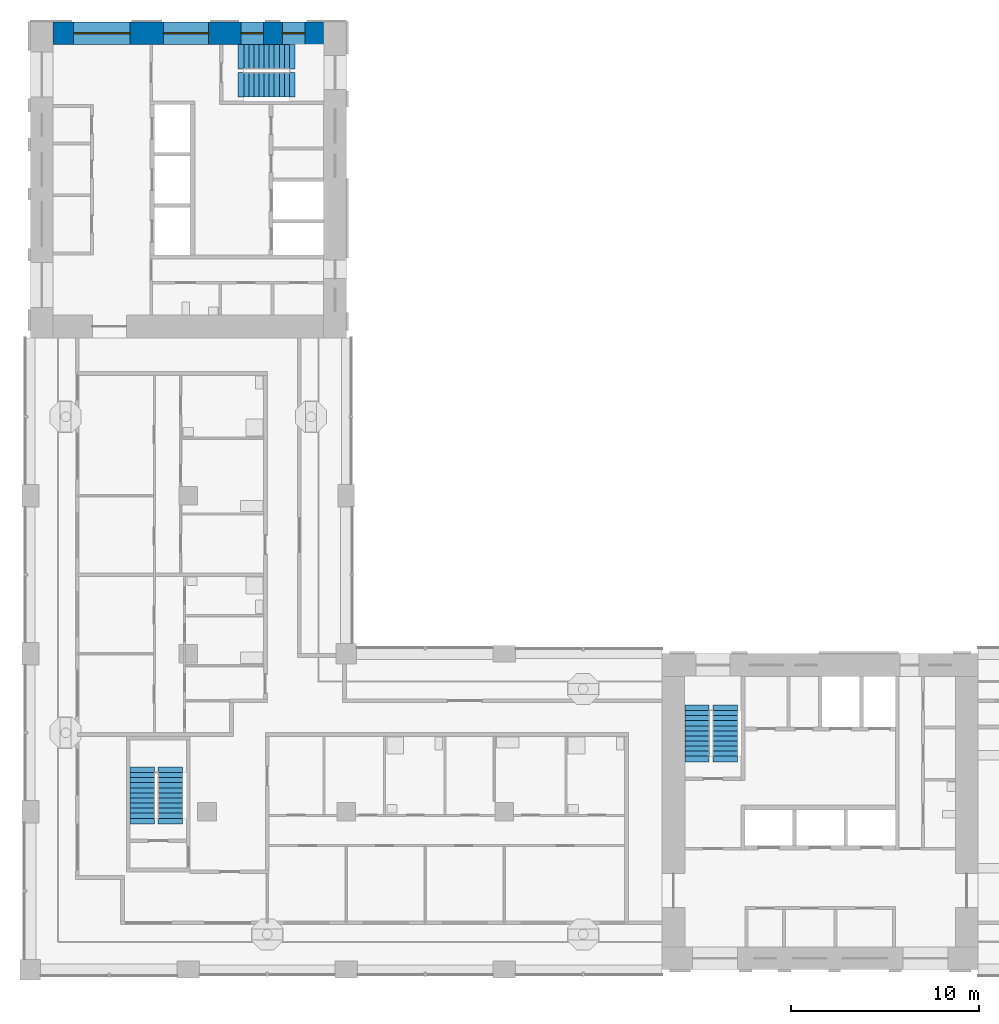
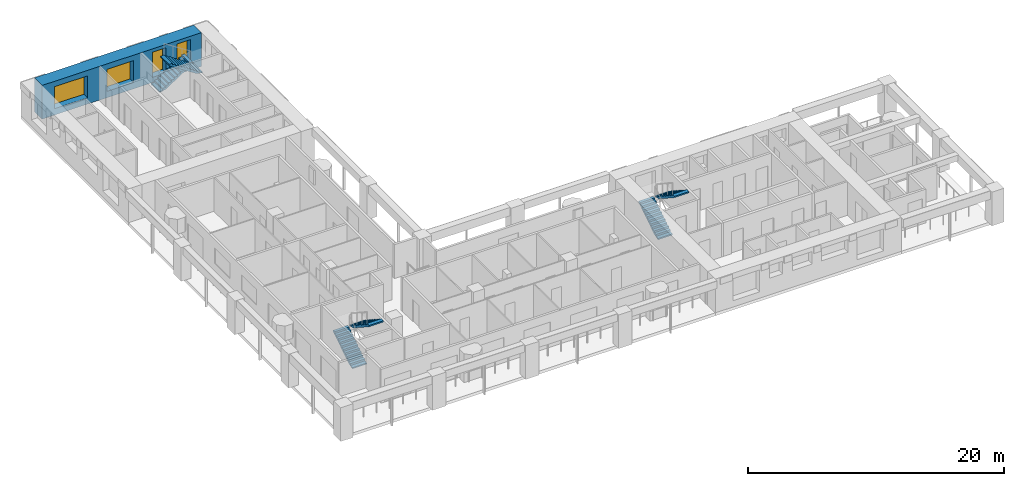
# One storey, part 7 of 13: 6 stair flights, 4 windows, 1 wall, 4 openings, 3 elements without a shape of their own.
"""IFC4 building model written with IfcOpenShell, lengths in metres."""

from ifc_helpers import new_model, si_unit, direction, frame, frame_2d, origin, place, context, subcontext, project, spatial, polyline, rectangle, outline, extrude, material, layer, layer_set, type_object, element, fill, aggregate, save


model = new_model("IFC4")

# Units and contexts
model_context = context("Model", 3, precision=1e-05, world=origin(), true_north=direction((0.0, 1.0)))
body_context = subcontext(model_context, "Body", "Model", "MODEL_VIEW")
ifc_project = project(units=[si_unit("LENGTHUNIT", "METRE"), si_unit("AREAUNIT", "SQUARE_METRE"), si_unit("VOLUMEUNIT", "CUBIC_METRE"), si_unit("PLANEANGLEUNIT", "RADIAN"), si_unit("MASSUNIT", "GRAM", prefix="KILO")], contexts=[model_context])

# Site, building, storey
site_placement = place(None, origin())
site = spatial("IfcSite", under=ifc_project, at=site_placement, CompositionType="ELEMENT")
building_placement = place(site_placement, origin())
building = spatial("IfcBuilding", under=site, at=building_placement, Name="Vermilion Gate Residences", CompositionType="ELEMENT")
storey_placement = place(building_placement, frame((0.0, 0.0, 147.699951171875)))
storey = spatial("IfcBuildingStorey", under=building, at=storey_placement, Name="L37", CompositionType="ELEMENT", Elevation=147.699951171875)

# Wall, openings, windows
ifc_material_1 = material(Name="Concrete C60 red-oxide pigmented", Category="concrete")
ifc_layer = layer(ifc_material_1, 1.199951171875)
ifc_layer_set = layer_set([ifc_layer], Name="RC CORE WALL 1200 C60 RED OXIDE")
wall_type = type_object("IfcWallType", Name="RC CORE WALL 1200 C60 RED OXIDE", PredefinedType="SHEAR", material=ifc_layer_set)
wall_placement = place(storey_placement, frame((9.60009765625, 58.199951171875, 0.0), z_axis=(0.0, 0.0, 1.0), x_axis=(1.0, 0.0, 0.0)))
wall = element("IfcWall", 1, at=wall_placement, inside=storey, type_object=wall_type, Name="Core wall B37-OUT-FR", PredefinedType="SHEAR", context=body_context, shape_type="SweptSolid", body=[
    extrude(rectangle(XDim=14.39990234375, YDim=1.199951171875, at=frame_2d((7.199951171875, 0.0))), origin(), (0.0, 0.0, 1.0), 3.219970703125),
])
opening_1_placement = place(wall_placement, frame((1.10498046875, 0.0, 0.60009765625)))
opening_1 = element("IfcOpeningElement", 2, at=opening_1_placement, cuts=wall, Name="Opening WKB3711", PredefinedType="OPENING", context=body_context, shape_type="SweptSolid", body=[
    extrude(rectangle(XDim=3.0, YDim=2.10009765625, at=frame_2d((1.5, 1.050048828125))), frame((0.0, 0.60986328125, 0.0), z_axis=(0.0, -1.0, 0.0), x_axis=(1.0, 0.0, 0.0)), (0.0, 0.0, 1.0), 1.219970703125),
])
opening_2_placement = place(wall_placement, frame((5.875, 0.0, 0.60009765625)))
opening_2 = element("IfcOpeningElement", 3, at=opening_2_placement, cuts=wall, Name="Opening WKB3712", PredefinedType="OPENING", context=body_context, shape_type="SweptSolid", body=[
    extrude(rectangle(XDim=2.39990234375, YDim=2.10009765625, at=frame_2d((1.199951171875, 1.050048828125))), frame((0.0, 0.60986328125, 0.0), z_axis=(0.0, -1.0, 0.0), x_axis=(1.0, 0.0, 0.0)), (0.0, 0.0, 1.0), 1.219970703125),
])
opening_3_placement = place(wall_placement, frame((9.993408203125, 0.0, 0.5)))
opening_3 = element("IfcOpeningElement", 4, at=opening_3_placement, cuts=wall, Name="Opening WKB3713", PredefinedType="OPENING", context=body_context, shape_type="SweptSolid", body=[
    extrude(rectangle(XDim=1.199951171875, YDim=2.39990234375, at=frame_2d((0.60009765625, 1.199951171875))), frame((0.0, 0.60986328125, 0.0), z_axis=(0.0, -1.0, 0.0), x_axis=(1.0, 0.0, 0.0)), (0.0, 0.0, 1.0), 1.219970703125),
])
opening_4_placement = place(wall_placement, frame((12.19677734375, 0.0, 0.5)))
opening_4 = element("IfcOpeningElement", 5, at=opening_4_placement, cuts=wall, Name="Opening WKB3714", PredefinedType="OPENING", context=body_context, shape_type="SweptSolid", body=[
    extrude(rectangle(XDim=1.199951171875, YDim=2.39990234375, at=frame_2d((0.60009765625, 1.199951171875))), frame((0.0, 0.60986328125, 0.0), z_axis=(0.0, -1.0, 0.0), x_axis=(1.0, 0.0, 0.0)), (0.0, 0.0, 1.0), 1.219970703125),
])
ifc_material_2 = material(Name="Aluminium and clear glass", Category="aluminium")
window_type_1 = type_object("IfcWindowType", Name="CORE LOBBY WINDOW 2400 X 2100", PartitioningType="SINGLE_PANEL", PredefinedType="WINDOW", material=ifc_material_2)
window_1_placement = place(opening_2_placement, origin())
window_1 = element("IfcWindow", 6, at=window_1_placement, inside=storey, type_object=window_type_1, Name="Core lobby window", OverallHeight=2.10009765625, OverallWidth=2.39990234375, PartitioningType="SINGLE_PANEL", PredefinedType="WINDOW", context=body_context, shape_type="SweptSolid", body=[
    extrude(rectangle(XDim=2.39990234375, YDim=2.10009765625, at=frame_2d((1.199951171875, 1.050048828125))), frame((0.0, 0.030029296875, 0.0), z_axis=(0.0, -1.0, 0.0), x_axis=(1.0, 0.0, 0.0)), (0.0, 0.0, 1.0), 0.06005859375),
])
fill(opening_2, window_1)
ifc_material_3 = material(Name="Aluminium and clear glass", Category="aluminium")
window_type_2 = type_object("IfcWindowType", Name="CORE LOBBY WINDOW 3000 X 2100", PartitioningType="SINGLE_PANEL", PredefinedType="WINDOW", material=ifc_material_3)
window_2_placement = place(opening_1_placement, origin())
window_2 = element("IfcWindow", 7, at=window_2_placement, inside=storey, type_object=window_type_2, Name="Core lobby window", OverallHeight=2.10009765625, OverallWidth=3.0, PartitioningType="SINGLE_PANEL", PredefinedType="WINDOW", context=body_context, shape_type="SweptSolid", body=[
    extrude(rectangle(XDim=3.0, YDim=2.10009765625, at=frame_2d((1.5, 1.050048828125))), frame((0.0, 0.030029296875, 0.0), z_axis=(0.0, -1.0, 0.0), x_axis=(1.0, 0.0, 0.0)), (0.0, 0.0, 1.0), 0.06005859375),
])
fill(opening_1, window_2)
ifc_material_4 = material(Name="Aluminium and clear glass", Category="aluminium")
window_type_3 = type_object("IfcWindowType", Name="CORE STAIR WINDOW 1200 X 2400", PartitioningType="SINGLE_PANEL", PredefinedType="WINDOW", material=ifc_material_4)
window_3_placement = place(opening_3_placement, origin())
window_3 = element("IfcWindow", 8, at=window_3_placement, inside=storey, type_object=window_type_3, Name="Core stair window", OverallHeight=2.39990234375, OverallWidth=1.199951171875, PartitioningType="SINGLE_PANEL", PredefinedType="WINDOW", context=body_context, shape_type="SweptSolid", body=[
    extrude(rectangle(XDim=1.199951171875, YDim=2.39990234375, at=frame_2d((0.60009765625, 1.199951171875))), frame((0.0, 0.030029296875, 0.0), z_axis=(0.0, -1.0, 0.0), x_axis=(1.0, 0.0, 0.0)), (0.0, 0.0, 1.0), 0.06005859375),
])
fill(opening_3, window_3)
window_4_placement = place(opening_4_placement, origin())
window_4 = element("IfcWindow", 9, at=window_4_placement, inside=storey, type_object=window_type_3, Name="Core stair window", OverallHeight=2.39990234375, OverallWidth=1.199951171875, PartitioningType="SINGLE_PANEL", PredefinedType="WINDOW", context=body_context, shape_type="SweptSolid", body=[
    extrude(rectangle(XDim=1.199951171875, YDim=2.39990234375, at=frame_2d((0.60009765625, 1.199951171875))), frame((0.0, 0.030029296875, 0.0), z_axis=(0.0, -1.0, 0.0), x_axis=(1.0, 0.0, 0.0)), (0.0, 0.0, 1.0), 0.06005859375),
])
fill(opening_4, window_4)

# Stair, stair flights
ifc_material_5 = material(Name="Concrete C50", Category="concrete")
stair_type = type_object("IfcStairType", Name="SPECIAL ESCAPE STAIR 1300", PredefinedType="HALF_TURN_STAIR", material=ifc_material_5)
stair_1_placement = place(storey_placement, origin())
stair_1 = element("IfcStair", 10, at=stair_1_placement, inside=storey, type_object=stair_type, Name="Special escape stair STA1-37", PredefinedType="HALF_TURN_STAIR")
ifc_material_6 = material(Name="Concrete C50", Category="concrete")
stair_flight_type = type_object("IfcStairFlightType", Name="STAIR FLIGHT 1300 RC C50", PredefinedType="STRAIGHT", material=ifc_material_6)
stair_flight_1_placement = place(storey_placement, frame((43.85009765625, 19.75, 0.0), z_axis=(0.0, 0.0, 1.0), x_axis=(0.0, 1.0, 0.0)))
stair_flight_1 = element("IfcStairFlight", 11, at=stair_flight_1_placement, type_object=stair_flight_type, Name="STA1-37 flight 1", NumberOfRisers=10, NumberOfTreads=9, PredefinedType="STRAIGHT", RiserHeight=0.175, TreadLength=0.27, context=body_context, shape_type="SweptSolid", body=[
    extrude(outline(polyline([(-0.300048828125, -0.14990234375), (-0.300048828125, -0.030029296875), (0.0, 0.0), (0.0, 0.175048828125), (0.27001953125, 0.175048828125), (0.27001953125, 0.35009765625), (0.5400390625, 0.35009765625), (0.5400390625, 0.52490234375), (0.81005859375, 0.52490234375), (0.81005859375, 0.699951171875), (1.080078125, 0.699951171875), (1.080078125, 0.875), (1.35009765625, 0.875), (1.35009765625, 1.050048828125), (1.6201171875, 1.050048828125), (1.6201171875, 1.22509765625), (1.889892578125, 1.22509765625), (1.889892578125, 1.39990234375), (2.159912109375, 1.39990234375), (2.159912109375, 1.574951171875), (2.429931640625, 1.574951171875), (2.429931640625, 1.75), (2.72998046875, 1.719970703125), (2.72998046875, 1.60009765625), (2.429931640625, 1.396484375), (0.275634765625, 0.0), (-0.300048828125, -0.14990234375)])), frame((0.0, 0.64990234375, 0.0), z_axis=(0.0, -1.0, 0.0), x_axis=(1.0, 0.0, 0.0)), (0.0, 0.0, 1.0), 1.300048828125),
])
stair_flight_2_placement = place(storey_placement, frame((45.35009765625, 22.179931640625, 1.75), z_axis=(0.0, 0.0, 1.0), x_axis=(0.0, -1.0, 0.0)))
stair_flight_2 = element("IfcStairFlight", 12, at=stair_flight_2_placement, type_object=stair_flight_type, Name="STA1-37 flight 2", NumberOfRisers=10, NumberOfTreads=9, PredefinedType="STRAIGHT", RiserHeight=0.175, TreadLength=0.27, context=body_context, shape_type="SweptSolid", body=[
    extrude(outline(polyline([(-0.300048828125, -0.14990234375), (-0.300048828125, -0.030029296875), (0.0, 0.0), (0.0, 0.175048828125), (0.27001953125, 0.175048828125), (0.27001953125, 0.35009765625), (0.5400390625, 0.35009765625), (0.5400390625, 0.52490234375), (0.81005859375, 0.52490234375), (0.81005859375, 0.699951171875), (1.080078125, 0.699951171875), (1.080078125, 0.875), (1.35009765625, 0.875), (1.35009765625, 1.050048828125), (1.6201171875, 1.050048828125), (1.6201171875, 1.22509765625), (1.889892578125, 1.22509765625), (1.889892578125, 1.39990234375), (2.159912109375, 1.39990234375), (2.159912109375, 1.574951171875), (2.429931640625, 1.574951171875), (2.429931640625, 1.75), (2.72998046875, 1.719970703125), (2.72998046875, 1.60009765625), (2.429931640625, 1.396484375), (0.275634765625, 0.0), (-0.300048828125, -0.14990234375)])), frame((0.0, 0.64990234375, 0.0), z_axis=(0.0, -1.0, 0.0), x_axis=(1.0, 0.0, 0.0)), (0.0, 0.0, 1.0), 1.300048828125),
])
aggregate(stair_1, [stair_flight_1, stair_flight_2])

stair_2_placement = place(storey_placement, origin())
stair_2 = element("IfcStair", 13, at=stair_2_placement, inside=storey, type_object=stair_type, Name="Special escape stair STB1-37", PredefinedType="HALF_TURN_STAIR")
stair_flight_3_placement = place(storey_placement, frame((19.75, 56.949951171875, 0.0), z_axis=(0.0, 0.0, 1.0), x_axis=(1.0, 0.0, 0.0)))
stair_flight_3 = element("IfcStairFlight", 14, at=stair_flight_3_placement, type_object=stair_flight_type, Name="STB1-37 flight 1", NumberOfRisers=10, NumberOfTreads=9, PredefinedType="STRAIGHT", RiserHeight=0.175, TreadLength=0.27, context=body_context, shape_type="SweptSolid", body=[
    extrude(outline(polyline([(-0.300048828125, -0.14990234375), (-0.300048828125, -0.030029296875), (0.0, 0.0), (0.0, 0.175048828125), (0.27001953125, 0.175048828125), (0.27001953125, 0.35009765625), (0.5400390625, 0.35009765625), (0.5400390625, 0.52490234375), (0.81005859375, 0.52490234375), (0.81005859375, 0.699951171875), (1.080078125, 0.699951171875), (1.080078125, 0.875), (1.35009765625, 0.875), (1.35009765625, 1.050048828125), (1.6201171875, 1.050048828125), (1.6201171875, 1.22509765625), (1.889892578125, 1.22509765625), (1.889892578125, 1.39990234375), (2.159912109375, 1.39990234375), (2.159912109375, 1.574951171875), (2.429931640625, 1.574951171875), (2.429931640625, 1.75), (2.72998046875, 1.719970703125), (2.72998046875, 1.60009765625), (2.429931640625, 1.396484375), (0.275634765625, 0.0), (-0.300048828125, -0.14990234375)])), frame((0.0, 0.64990234375, 0.0), z_axis=(0.0, -1.0, 0.0), x_axis=(1.0, 0.0, 0.0)), (0.0, 0.0, 1.0), 1.300048828125),
])
stair_flight_4_placement = place(storey_placement, frame((22.179931640625, 55.449951171875, 1.75), z_axis=(0.0, 0.0, 1.0), x_axis=(-1.0, 0.0, 0.0)))
stair_flight_4 = element("IfcStairFlight", 15, at=stair_flight_4_placement, type_object=stair_flight_type, Name="STB1-37 flight 2", NumberOfRisers=10, NumberOfTreads=9, PredefinedType="STRAIGHT", RiserHeight=0.175, TreadLength=0.27, context=body_context, shape_type="SweptSolid", body=[
    extrude(outline(polyline([(-0.300048828125, -0.14990234375), (-0.300048828125, -0.030029296875), (0.0, 0.0), (0.0, 0.175048828125), (0.27001953125, 0.175048828125), (0.27001953125, 0.35009765625), (0.5400390625, 0.35009765625), (0.5400390625, 0.52490234375), (0.81005859375, 0.52490234375), (0.81005859375, 0.699951171875), (1.080078125, 0.699951171875), (1.080078125, 0.875), (1.35009765625, 0.875), (1.35009765625, 1.050048828125), (1.6201171875, 1.050048828125), (1.6201171875, 1.22509765625), (1.889892578125, 1.22509765625), (1.889892578125, 1.39990234375), (2.159912109375, 1.39990234375), (2.159912109375, 1.574951171875), (2.429931640625, 1.574951171875), (2.429931640625, 1.75), (2.72998046875, 1.719970703125), (2.72998046875, 1.60009765625), (2.429931640625, 1.396484375), (0.275634765625, 0.0), (-0.300048828125, -0.14990234375)])), frame((0.0, 0.64990234375, 0.0), z_axis=(0.0, -1.0, 0.0), x_axis=(1.0, 0.0, 0.0)), (0.0, 0.0, 1.0), 1.300048828125),
])
aggregate(stair_2, [stair_flight_3, stair_flight_4])

stair_3_placement = place(storey_placement, origin())
stair_3 = element("IfcStair", 16, at=stair_3_placement, inside=storey, type_object=stair_type, Name="Special escape stair STC1-37", PredefinedType="HALF_TURN_STAIR")
stair_flight_5_placement = place(storey_placement, frame((14.35009765625, 16.449951171875, 0.0), z_axis=(0.0, 0.0, 1.0), x_axis=(0.0, 1.0, 0.0)))
stair_flight_5 = element("IfcStairFlight", 17, at=stair_flight_5_placement, type_object=stair_flight_type, Name="STC1-37 flight 1", NumberOfRisers=10, NumberOfTreads=9, PredefinedType="STRAIGHT", RiserHeight=0.175, TreadLength=0.27, context=body_context, shape_type="SweptSolid", body=[
    extrude(outline(polyline([(-0.300048828125, -0.14990234375), (-0.300048828125, -0.030029296875), (0.0, 0.0), (0.0, 0.175048828125), (0.27001953125, 0.175048828125), (0.27001953125, 0.35009765625), (0.5400390625, 0.35009765625), (0.5400390625, 0.52490234375), (0.81005859375, 0.52490234375), (0.81005859375, 0.699951171875), (1.080078125, 0.699951171875), (1.080078125, 0.875), (1.35009765625, 0.875), (1.35009765625, 1.050048828125), (1.6201171875, 1.050048828125), (1.6201171875, 1.22509765625), (1.889892578125, 1.22509765625), (1.889892578125, 1.39990234375), (2.159912109375, 1.39990234375), (2.159912109375, 1.574951171875), (2.429931640625, 1.574951171875), (2.429931640625, 1.75), (2.72998046875, 1.719970703125), (2.72998046875, 1.60009765625), (2.429931640625, 1.396484375), (0.275634765625, 0.0), (-0.300048828125, -0.14990234375)])), frame((0.0, 0.64990234375, 0.0), z_axis=(0.0, -1.0, 0.0), x_axis=(1.0, 0.0, 0.0)), (0.0, 0.0, 1.0), 1.300048828125),
])
stair_flight_6_placement = place(storey_placement, frame((15.85009765625, 18.8798828125, 1.75), z_axis=(0.0, 0.0, 1.0), x_axis=(0.0, -1.0, 0.0)))
stair_flight_6 = element("IfcStairFlight", 18, at=stair_flight_6_placement, type_object=stair_flight_type, Name="STC1-37 flight 2", NumberOfRisers=10, NumberOfTreads=9, PredefinedType="STRAIGHT", RiserHeight=0.175, TreadLength=0.27, context=body_context, shape_type="SweptSolid", body=[
    extrude(outline(polyline([(-0.300048828125, -0.14990234375), (-0.300048828125, -0.030029296875), (0.0, 0.0), (0.0, 0.175048828125), (0.27001953125, 0.175048828125), (0.27001953125, 0.35009765625), (0.5400390625, 0.35009765625), (0.5400390625, 0.52490234375), (0.81005859375, 0.52490234375), (0.81005859375, 0.699951171875), (1.080078125, 0.699951171875), (1.080078125, 0.875), (1.35009765625, 0.875), (1.35009765625, 1.050048828125), (1.6201171875, 1.050048828125), (1.6201171875, 1.22509765625), (1.889892578125, 1.22509765625), (1.889892578125, 1.39990234375), (2.159912109375, 1.39990234375), (2.159912109375, 1.574951171875), (2.429931640625, 1.574951171875), (2.429931640625, 1.75), (2.72998046875, 1.719970703125), (2.72998046875, 1.60009765625), (2.429931640625, 1.396484375), (0.275634765625, 0.0), (-0.300048828125, -0.14990234375)])), frame((0.0, 0.64990234375, 0.0), z_axis=(0.0, -1.0, 0.0), x_axis=(1.0, 0.0, 0.0)), (0.0, 0.0, 1.0), 1.300048828125),
])
aggregate(stair_3, [stair_flight_5, stair_flight_6])

save(model, "model.ifc")
